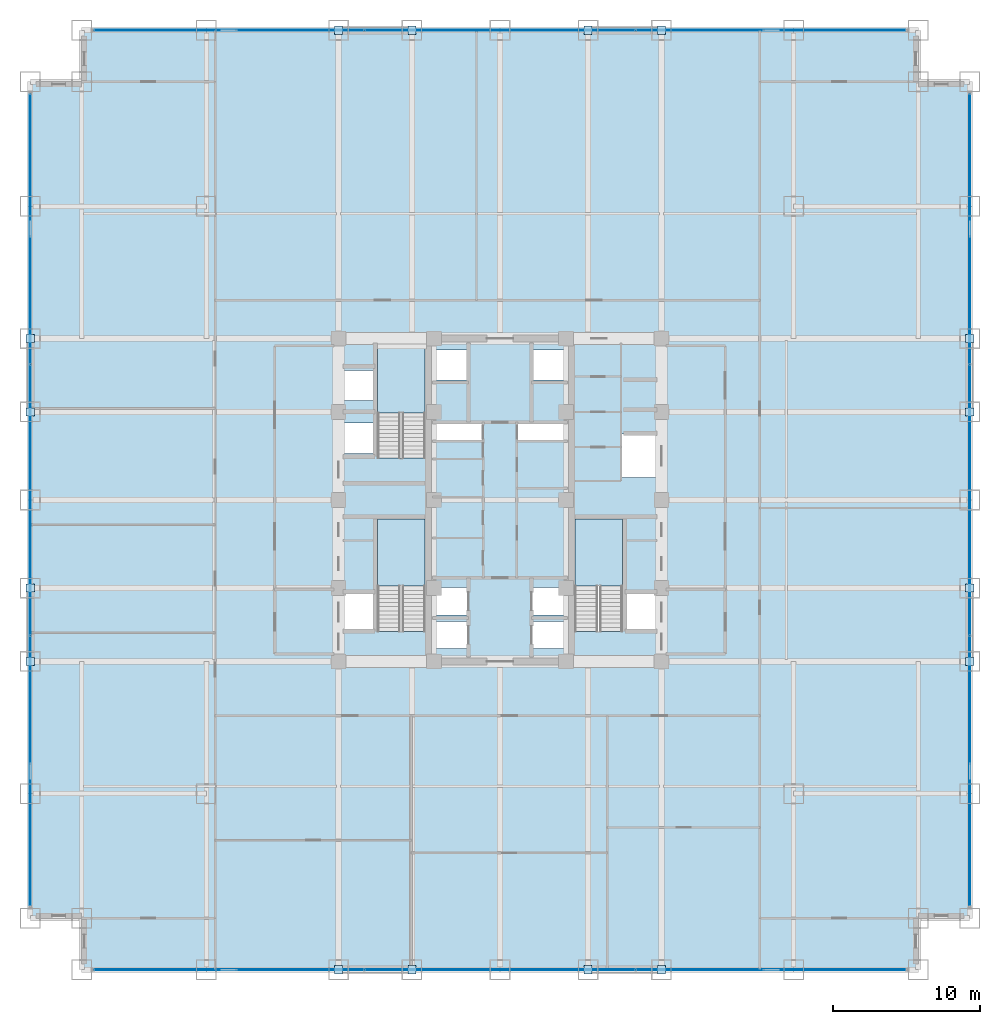
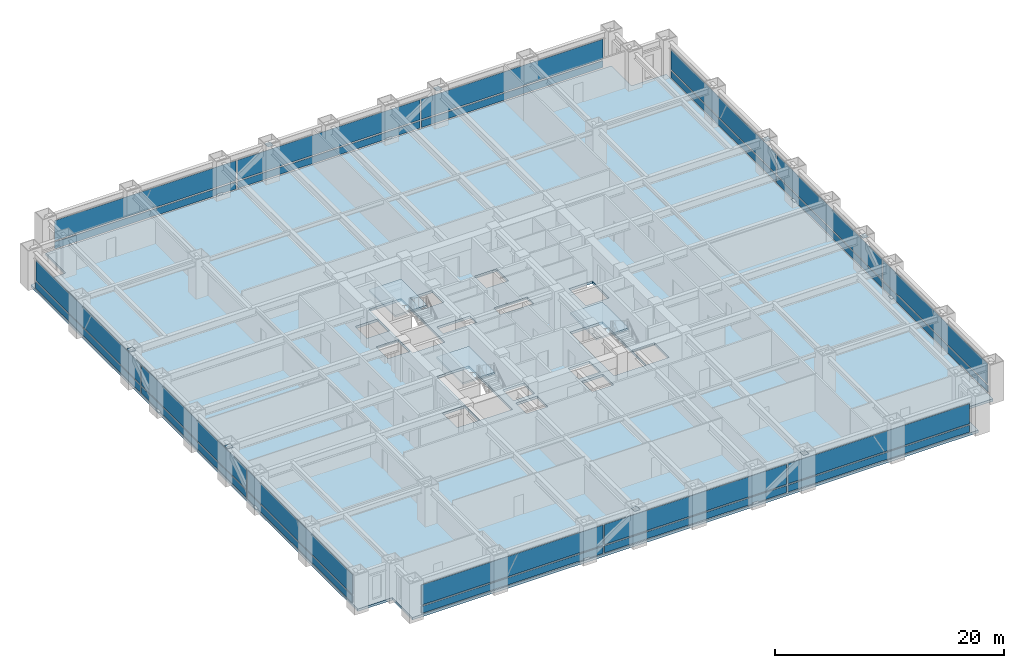
# One storey, part 22 of 28: 40 plates, 4 slabs, 7 elements without a shape of their own.
"""IFC4 building model written with IfcOpenShell, lengths in metres."""

from ifc_helpers import new_model, si_unit, direction, frame, origin, origin_2d, place, context, subcontext, project, spatial, polyline, rectangle, outline, extrude, source, transform, mapped, material, layer, layer_set, type_object, element, aggregate, save


model = new_model("IFC4")

# Units and contexts
model_context = context("Model", 3, precision=1e-05, world=origin(), true_north=direction((0.0, 1.0)))
body_context = subcontext(model_context, "Body", "Model", "MODEL_VIEW")
ifc_project = project(units=[si_unit("LENGTHUNIT", "METRE"), si_unit("AREAUNIT", "SQUARE_METRE"), si_unit("VOLUMEUNIT", "CUBIC_METRE"), si_unit("PLANEANGLEUNIT", "RADIAN"), si_unit("MASSUNIT", "GRAM", prefix="KILO")], contexts=[model_context])

# Site, building, storey
site_placement = place(None, origin())
site = spatial("IfcSite", under=ifc_project, at=site_placement, CompositionType="ELEMENT")
building_placement = place(site_placement, origin())
building = spatial("IfcBuilding", under=site, at=building_placement, Name="Khorayat Bourse Tower", CompositionType="ELEMENT")
storey_placement = place(building_placement, frame((0.0, 0.0, 62.0)))
storey = spatial("IfcBuildingStorey", under=building, at=storey_placement, Name="L13", CompositionType="ELEMENT", Elevation=62.0)

# Stair, slab
ifc_material_1 = material(Name="Concrete C40/50", Category="concrete")
stair_type = type_object("IfcStairType", Name="STR-CORE-1550", PredefinedType="HALF_TURN_STAIR", material=ifc_material_1)
stair_1_placement = place(storey_placement, origin())
stair_1 = element("IfcStair", 1, at=stair_1_placement, inside=storey, type_object=stair_type, Name="L13 Exit Stair ST-1", PredefinedType="HALF_TURN_STAIR")
ifc_layer_1 = layer(ifc_material_1, 0.199951171875)
ifc_layer_set_1 = layer_set([ifc_layer_1], Name="Concrete C40/50")
slab_type_1 = type_object("IfcSlabType", Name="SLB-LANDING-200", PredefinedType="LANDING", material=ifc_layer_set_1)
slab_1_placement = place(storey_placement, frame((0.0, 0.0, 1.89990234375)))
slab_1 = element("IfcSlab", 2, at=slab_1_placement, type_object=slab_type_1, Name="ST-1 landing 1", PredefinedType="LANDING", context=body_context, shape_type="SweptSolid", body=[
    extrude(outline(polyline([(-5.10009765625, -5.8701171875), (-5.10009765625, -1.300048828125), (-8.35009765625, -1.300048828125), (-8.35009765625, -5.8701171875), (-5.10009765625, -5.8701171875)])), origin(), (0.0, 0.0, 1.0), 0.2001953125),
])
aggregate(stair_1, [slab_1])

stair_2_placement = place(storey_placement, origin())
stair_2 = element("IfcStair", 3, at=stair_2_placement, inside=storey, type_object=stair_type, Name="L13 Exit Stair ST-2", PredefinedType="HALF_TURN_STAIR")
slab_2_placement = place(storey_placement, frame((0.0, 0.0, 1.89990234375)))
slab_2 = element("IfcSlab", 4, at=slab_2_placement, type_object=slab_type_1, Name="ST-2 landing 1", PredefinedType="LANDING", context=body_context, shape_type="SweptSolid", body=[
    extrude(outline(polyline([(-5.10009765625, 5.929931640625), (-5.10009765625, 10.5), (-8.35009765625, 10.5), (-8.35009765625, 5.929931640625), (-5.10009765625, 5.929931640625)])), origin(), (0.0, 0.0, 1.0), 0.2001953125),
])
aggregate(stair_2, [slab_2])

stair_3_placement = place(storey_placement, origin())
stair_3 = element("IfcStair", 5, at=stair_3_placement, inside=storey, type_object=stair_type, Name="L13 Exit Stair ST-3", PredefinedType="HALF_TURN_STAIR")
slab_3_placement = place(storey_placement, frame((0.0, 0.0, 1.89990234375)))
slab_3 = element("IfcSlab", 6, at=slab_3_placement, type_object=slab_type_1, Name="ST-3 landing 1", PredefinedType="LANDING", context=body_context, shape_type="SweptSolid", body=[
    extrude(outline(polyline([(8.35009765625, -5.8701171875), (8.35009765625, -1.300048828125), (5.10009765625, -1.300048828125), (5.10009765625, -5.8701171875), (8.35009765625, -5.8701171875)])), origin(), (0.0, 0.0, 1.0), 0.2001953125),
])
aggregate(stair_3, [slab_3])

# Slab
ifc_layer_2 = layer(ifc_material_1, 0.260009765625)
ifc_layer_set_2 = layer_set([ifc_layer_2], Name="Concrete C40/50")
slab_type_2 = type_object("IfcSlabType", Name="SLB-TRADE-260", PredefinedType="FLOOR", material=ifc_layer_set_2)
slab_4_placement = place(storey_placement, frame((0.0, 0.0, -0.260009765625)))
element("IfcSlab", 7, at=slab_4_placement, inside=storey, type_object=slab_type_2, Name="L13 Main Floor Slab", PredefinedType="FLOOR", context=body_context, shape_type="SweptSolid", body=[
    extrude(outline(polyline([(-28.5, -32.0), (28.5, -32.0), (28.5, -28.5), (32.0, -28.5), (32.0, 28.5), (28.5, 28.5), (28.5, 32.0), (-28.5, 32.0), (-28.5, 28.5), (-32.0, 28.5), (-32.0, -28.5), (-28.5, -28.5), (-28.5, -32.0)]), holes=[polyline([(-8.35009765625, -8.945068359375), (-5.10009765625, -8.945068359375), (-5.10009765625, -1.300048828125), (-8.35009765625, -1.300048828125), (-8.35009765625, -8.945068359375)]), polyline([(-8.35009765625, 2.85498046875), (-5.10009765625, 2.85498046875), (-5.10009765625, 10.5), (-8.35009765625, 10.5), (-8.35009765625, 2.85498046875)]), polyline([(5.10009765625, -8.945068359375), (8.35009765625, -8.945068359375), (8.35009765625, -1.300048828125), (5.10009765625, -1.300048828125), (5.10009765625, -8.945068359375)]), polyline([(-4.3798828125, -10.1298828125), (-2.219970703125, -10.1298828125), (-2.219970703125, -8.27001953125), (-4.3798828125, -8.27001953125), (-4.3798828125, -10.1298828125)]), polyline([(2.219970703125, -10.1298828125), (4.3798828125, -10.1298828125), (4.3798828125, -8.27001953125), (2.219970703125, -8.27001953125), (2.219970703125, -10.1298828125)]), polyline([(-4.3798828125, -7.830078125), (-2.219970703125, -7.830078125), (-2.219970703125, -5.969970703125), (-4.3798828125, -5.969970703125), (-4.3798828125, -7.830078125)]), polyline([(2.219970703125, -7.830078125), (4.3798828125, -7.830078125), (4.3798828125, -5.969970703125), (2.219970703125, -5.969970703125), (2.219970703125, -7.830078125)]), polyline([(-4.3798828125, 8.169921875), (-2.1201171875, 8.169921875), (-2.1201171875, 10.22998046875), (-4.3798828125, 10.22998046875), (-4.3798828125, 8.169921875)]), polyline([(2.1201171875, 8.169921875), (4.3798828125, 8.169921875), (4.3798828125, 10.22998046875), (2.1201171875, 10.22998046875), (2.1201171875, 8.169921875)]), polyline([(-10.679931640625, 3.169921875), (-8.419921875, 3.169921875), (-8.419921875, 5.22998046875), (-10.679931640625, 5.22998046875), (-10.679931640625, 3.169921875)]), polyline([(-10.679931640625, 6.77001953125), (-8.419921875, 6.77001953125), (-8.419921875, 8.830078125), (-10.679931640625, 8.830078125), (-10.679931640625, 6.77001953125)]), polyline([(-10.679931640625, -8.929931640625), (-8.419921875, -8.929931640625), (-8.419921875, -6.3701171875), (-10.679931640625, -6.3701171875), (-10.679931640625, -8.929931640625)]), polyline([(8.419921875, -8.929931640625), (10.679931640625, -8.929931640625), (10.679931640625, -6.3701171875), (8.419921875, -6.3701171875), (8.419921875, -8.929931640625)]), polyline([(8.320068359375, 1.52001953125), (10.679931640625, 1.52001953125), (10.679931640625, 4.47998046875), (8.320068359375, 4.47998046875), (8.320068359375, 1.52001953125)]), polyline([(-4.56005859375, 4.080078125), (-1.18994140625, 4.080078125), (-1.18994140625, 5.219970703125), (-4.56005859375, 5.219970703125), (-4.56005859375, 4.080078125)]), polyline([(1.18994140625, 4.080078125), (4.56005859375, 4.080078125), (4.56005859375, 5.219970703125), (1.18994140625, 5.219970703125), (1.18994140625, 4.080078125)])]), origin(), (0.0, 0.0, 1.0), 0.260009765625),
])

# Plates
ifc_material_2 = material(Name="Steel EN 10025-2 S355J2", Category="steel")
ifc_layer_3 = layer(ifc_material_2, 0.02490234375)
ifc_layer_set_3 = layer_set([ifc_layer_3], Name="Steel EN 10025-2 S355J2")
plate_type_1 = type_object("IfcPlateType", Name="PLT-ENDCAP-25", PredefinedType="SHEET", material=ifc_layer_set_3)
shared_shape_1 = source(origin(), body_context, "Body", "SweptSolid", [
    extrude(rectangle(XDim=0.56005859375, YDim=0.56005859375, at=origin_2d()), origin(), (0.0, 0.0, 1.0), 0.02490234375),
])
for number, where, z_axis, x_axis, name in (
    (8, (-11.0, -32.0, 0.237548828125), (0.0, 0.0, 1.0), (1.0, 0.0, 0.0), "L13 Perimeter Brace End Plate 001"),
    (9, (-6.0, -32.0, 3.677490234375), (0.0, 0.0, 1.0), (1.0, 0.0, 0.0), "L13 Perimeter Brace End Plate 002"),
    (10, (6.0, -32.0, 0.237548828125), (0.0, 0.0, 1.0), (1.0, 0.0, 0.0), "L13 Perimeter Brace End Plate 003"),
    (11, (11.0, -32.0, 3.677490234375), (0.0, 0.0, 1.0), (1.0, 0.0, 0.0), "L13 Perimeter Brace End Plate 004"),
    (12, (-11.0, 32.0, 0.237548828125), (0.0, 0.0, 1.0), (1.0, 0.0, 0.0), "L13 Perimeter Brace End Plate 005"),
    (13, (-6.0, 32.0, 3.677490234375), (0.0, 0.0, 1.0), (1.0, 0.0, 0.0), "L13 Perimeter Brace End Plate 006"),
    (14, (6.0, 32.0, 0.237548828125), (0.0, 0.0, 1.0), (1.0, 0.0, 0.0), "L13 Perimeter Brace End Plate 007"),
    (15, (11.0, 32.0, 3.677490234375), (0.0, 0.0, 1.0), (1.0, 0.0, 0.0), "L13 Perimeter Brace End Plate 008"),
    (16, (-32.0, -11.0, 0.237548828125), (0.0, 0.0, 1.0), (1.0, 0.0, 0.0), "L13 Perimeter Brace End Plate 009"),
    (17, (-32.0, -6.0, 3.677490234375), (0.0, 0.0, 1.0), (1.0, 0.0, 0.0), "L13 Perimeter Brace End Plate 010"),
    (18, (-32.0, 6.0, 0.237548828125), (0.0, 0.0, 1.0), (1.0, 0.0, 0.0), "L13 Perimeter Brace End Plate 011"),
    (19, (-32.0, 11.0, 3.677490234375), (0.0, 0.0, 1.0), (1.0, 0.0, 0.0), "L13 Perimeter Brace End Plate 012"),
    (20, (32.0, -11.0, 0.237548828125), (0.0, 0.0, 1.0), (1.0, 0.0, 0.0), "L13 Perimeter Brace End Plate 013"),
    (21, (32.0, -6.0, 3.677490234375), (0.0, 0.0, 1.0), (1.0, 0.0, 0.0), "L13 Perimeter Brace End Plate 014"),
    (22, (32.0, 6.0, 0.237548828125), (0.0, 0.0, 1.0), (1.0, 0.0, 0.0), "L13 Perimeter Brace End Plate 015"),
    (23, (32.0, 11.0, 3.677490234375), (0.0, 0.0, 1.0), (1.0, 0.0, 0.0), "L13 Perimeter Brace End Plate 016"),
):
    element("IfcPlate", number, at=place(storey_placement, frame(where, z_axis=z_axis, x_axis=x_axis)), inside=storey, type_object=plate_type_1, Name=name, PredefinedType="SHEET", context=body_context, shape_type="MappedRepresentation", body=[
        mapped(shared_shape_1, transform((0.0, 0.0, 0.0), scale=1.0)),
    ])

# Curtain wall, plates
ifc_material_3 = material(Name="Aluminium EN AW-6063 T6", Category="aluminium")
curtain_wall_type = type_object("IfcCurtainWallType", Name="CW-SYS-02", PredefinedType="NOTDEFINED", material=ifc_material_3)
curtain_wall_1_placement = place(storey_placement, origin())
curtain_wall_1 = element("IfcCurtainWall", 24, at=curtain_wall_1_placement, inside=storey, type_object=curtain_wall_type, Name="L13 Curtain Wall CW-L13-S1", PredefinedType="NOTDEFINED")
ifc_material_4 = material(Name="Honed desert limestone insulated spandrel", Category="masonry")
ifc_layer_4 = layer(ifc_material_4, 0.06494140625)
ifc_layer_set_4 = layer_set([ifc_layer_4], Name="Honed desert limestone insulated spandrel")
plate_type_2 = type_object("IfcPlateType", Name="CWP-SPAND-03", PredefinedType="CURTAIN_PANEL", material=ifc_layer_set_4)
shared_shape_2 = source(origin(), body_context, "Body", "SweptSolid", [
    extrude(rectangle(XDim=18.2900390625, YDim=0.06494140625, at=origin_2d()), origin(), (0.0, 0.0, 1.0), 0.739990234375),
])
plate_1_placement = place(storey_placement, frame((-18.465087890625, -32.0, 0.14013671875), z_axis=(0.0, 0.0, 1.0), x_axis=(1.0, 0.0, 0.0)))
plate_1 = element("IfcPlate", 25, at=plate_1_placement, type_object=plate_type_2, Name="CW-L13-S1 Spandrel Panel 1-1", PredefinedType="CURTAIN_PANEL", context=body_context, shape_type="MappedRepresentation", body=[
    mapped(shared_shape_2, transform((0.0, 0.0, 0.0), scale=1.0)),
])
plate_2_placement = place(storey_placement, frame((18.465087890625, -32.0, 0.14013671875), z_axis=(0.0, 0.0, 1.0), x_axis=(1.0, 0.0, 0.0)))
plate_2 = element("IfcPlate", 26, at=plate_2_placement, type_object=plate_type_2, Name="CW-L13-S1 Spandrel Panel 3-1", PredefinedType="CURTAIN_PANEL", context=body_context, shape_type="MappedRepresentation", body=[
    mapped(shared_shape_2, transform((0.0, 0.0, 0.0), scale=1.0)),
])

curtain_wall_2_placement = place(storey_placement, origin())
curtain_wall_2 = element("IfcCurtainWall", 27, at=curtain_wall_2_placement, inside=storey, type_object=curtain_wall_type, Name="L13 Curtain Wall CW-L13-N1", PredefinedType="NOTDEFINED")
plate_3_placement = place(storey_placement, frame((-18.465087890625, 32.0, 0.14013671875), z_axis=(0.0, 0.0, 1.0), x_axis=(1.0, 0.0, 0.0)))
plate_3 = element("IfcPlate", 28, at=plate_3_placement, type_object=plate_type_2, Name="CW-L13-N1 Spandrel Panel 1-1", PredefinedType="CURTAIN_PANEL", context=body_context, shape_type="MappedRepresentation", body=[
    mapped(shared_shape_2, transform((0.0, 0.0, 0.0), scale=1.0)),
])
plate_4_placement = place(storey_placement, frame((18.465087890625, 32.0, 0.14013671875), z_axis=(0.0, 0.0, 1.0), x_axis=(1.0, 0.0, 0.0)))
plate_4 = element("IfcPlate", 29, at=plate_4_placement, type_object=plate_type_2, Name="CW-L13-N1 Spandrel Panel 3-1", PredefinedType="CURTAIN_PANEL", context=body_context, shape_type="MappedRepresentation", body=[
    mapped(shared_shape_2, transform((0.0, 0.0, 0.0), scale=1.0)),
])

curtain_wall_3_placement = place(storey_placement, origin())
curtain_wall_3 = element("IfcCurtainWall", 30, at=curtain_wall_3_placement, inside=storey, type_object=curtain_wall_type, Name="L13 Curtain Wall CW-L13-W1", PredefinedType="NOTDEFINED")
plate_5_placement = place(storey_placement, frame((-32.0, -18.465087890625, 0.14013671875), z_axis=(0.0, 0.0, 1.0), x_axis=(0.0, 1.0, 0.0)))
plate_5 = element("IfcPlate", 31, at=plate_5_placement, type_object=plate_type_2, Name="CW-L13-W1 Spandrel Panel 1-1", PredefinedType="CURTAIN_PANEL", context=body_context, shape_type="MappedRepresentation", body=[
    mapped(shared_shape_2, transform((0.0, 0.0, 0.0), scale=1.0)),
])
plate_6_placement = place(storey_placement, frame((-32.0, 18.465087890625, 0.14013671875), z_axis=(0.0, 0.0, 1.0), x_axis=(0.0, 1.0, 0.0)))
plate_6 = element("IfcPlate", 32, at=plate_6_placement, type_object=plate_type_2, Name="CW-L13-W1 Spandrel Panel 3-1", PredefinedType="CURTAIN_PANEL", context=body_context, shape_type="MappedRepresentation", body=[
    mapped(shared_shape_2, transform((0.0, 0.0, 0.0), scale=1.0)),
])

curtain_wall_4_placement = place(storey_placement, origin())
curtain_wall_4 = element("IfcCurtainWall", 33, at=curtain_wall_4_placement, inside=storey, type_object=curtain_wall_type, Name="L13 Curtain Wall CW-L13-E1", PredefinedType="NOTDEFINED")
plate_7_placement = place(storey_placement, frame((32.0, -18.465087890625, 0.14013671875), z_axis=(0.0, 0.0, 1.0), x_axis=(0.0, 1.0, 0.0)))
plate_7 = element("IfcPlate", 34, at=plate_7_placement, type_object=plate_type_2, Name="CW-L13-E1 Spandrel Panel 1-1", PredefinedType="CURTAIN_PANEL", context=body_context, shape_type="MappedRepresentation", body=[
    mapped(shared_shape_2, transform((0.0, 0.0, 0.0), scale=1.0)),
])
plate_8_placement = place(storey_placement, frame((32.0, 18.465087890625, 0.14013671875), z_axis=(0.0, 0.0, 1.0), x_axis=(0.0, 1.0, 0.0)))
plate_8 = element("IfcPlate", 35, at=plate_8_placement, type_object=plate_type_2, Name="CW-L13-E1 Spandrel Panel 3-1", PredefinedType="CURTAIN_PANEL", context=body_context, shape_type="MappedRepresentation", body=[
    mapped(shared_shape_2, transform((0.0, 0.0, 0.0), scale=1.0)),
])

# Plate
ifc_material_5 = material(Name="Low-E solar-control laminated double glazing", Category="glass")
ifc_layer_5 = layer(ifc_material_5, 0.0419921875)
ifc_layer_set_5 = layer_set([ifc_layer_5], Name="Low-E solar-control laminated double glazing")
plate_type_3 = type_object("IfcPlateType", Name="CWP-FACET-02", PredefinedType="CURTAIN_PANEL", material=ifc_layer_set_5)
shared_shape_3 = source(origin(), body_context, "Body", "SweptSolid", [
    extrude(rectangle(XDim=18.2900390625, YDim=0.0419921875, at=origin_2d()), origin(), (0.0, 0.0, 1.0), 2.1298828125),
])
plate_9_placement = place(storey_placement, frame((-18.465087890625, -32.0, 1.02001953125), z_axis=(0.0, 0.0, 1.0), x_axis=(1.0, 0.0, 0.0)))
plate_9 = element("IfcPlate", 36, at=plate_9_placement, type_object=plate_type_3, Name="CW-L13-S1 Vision Panel 1-2", PredefinedType="CURTAIN_PANEL", context=body_context, shape_type="MappedRepresentation", body=[
    mapped(shared_shape_3, transform((0.0, 0.0, 0.0), scale=1.0)),
])

plate_10_placement = place(storey_placement, frame((18.465087890625, -32.0, 1.02001953125), z_axis=(0.0, 0.0, 1.0), x_axis=(1.0, 0.0, 0.0)))
plate_10 = element("IfcPlate", 37, at=plate_10_placement, type_object=plate_type_3, Name="CW-L13-S1 Vision Panel 3-2", PredefinedType="CURTAIN_PANEL", context=body_context, shape_type="MappedRepresentation", body=[
    mapped(shared_shape_3, transform((0.0, 0.0, 0.0), scale=1.0)),
])

plate_11_placement = place(storey_placement, frame((-18.465087890625, 32.0, 1.02001953125), z_axis=(0.0, 0.0, 1.0), x_axis=(1.0, 0.0, 0.0)))
plate_11 = element("IfcPlate", 38, at=plate_11_placement, type_object=plate_type_3, Name="CW-L13-N1 Vision Panel 1-2", PredefinedType="CURTAIN_PANEL", context=body_context, shape_type="MappedRepresentation", body=[
    mapped(shared_shape_3, transform((0.0, 0.0, 0.0), scale=1.0)),
])

plate_12_placement = place(storey_placement, frame((18.465087890625, 32.0, 1.02001953125), z_axis=(0.0, 0.0, 1.0), x_axis=(1.0, 0.0, 0.0)))
plate_12 = element("IfcPlate", 39, at=plate_12_placement, type_object=plate_type_3, Name="CW-L13-N1 Vision Panel 3-2", PredefinedType="CURTAIN_PANEL", context=body_context, shape_type="MappedRepresentation", body=[
    mapped(shared_shape_3, transform((0.0, 0.0, 0.0), scale=1.0)),
])

plate_13_placement = place(storey_placement, frame((-32.0, -18.465087890625, 1.02001953125), z_axis=(0.0, 0.0, 1.0), x_axis=(0.0, 1.0, 0.0)))
plate_13 = element("IfcPlate", 40, at=plate_13_placement, type_object=plate_type_3, Name="CW-L13-W1 Vision Panel 1-2", PredefinedType="CURTAIN_PANEL", context=body_context, shape_type="MappedRepresentation", body=[
    mapped(shared_shape_3, transform((0.0, 0.0, 0.0), scale=1.0)),
])

plate_14_placement = place(storey_placement, frame((-32.0, 18.465087890625, 1.02001953125), z_axis=(0.0, 0.0, 1.0), x_axis=(0.0, 1.0, 0.0)))
plate_14 = element("IfcPlate", 41, at=plate_14_placement, type_object=plate_type_3, Name="CW-L13-W1 Vision Panel 3-2", PredefinedType="CURTAIN_PANEL", context=body_context, shape_type="MappedRepresentation", body=[
    mapped(shared_shape_3, transform((0.0, 0.0, 0.0), scale=1.0)),
])

plate_15_placement = place(storey_placement, frame((32.0, -18.465087890625, 1.02001953125), z_axis=(0.0, 0.0, 1.0), x_axis=(0.0, 1.0, 0.0)))
plate_15 = element("IfcPlate", 42, at=plate_15_placement, type_object=plate_type_3, Name="CW-L13-E1 Vision Panel 1-2", PredefinedType="CURTAIN_PANEL", context=body_context, shape_type="MappedRepresentation", body=[
    mapped(shared_shape_3, transform((0.0, 0.0, 0.0), scale=1.0)),
])

plate_16_placement = place(storey_placement, frame((32.0, 18.465087890625, 1.02001953125), z_axis=(0.0, 0.0, 1.0), x_axis=(0.0, 1.0, 0.0)))
plate_16 = element("IfcPlate", 43, at=plate_16_placement, type_object=plate_type_3, Name="CW-L13-E1 Vision Panel 3-2", PredefinedType="CURTAIN_PANEL", context=body_context, shape_type="MappedRepresentation", body=[
    mapped(shared_shape_3, transform((0.0, 0.0, 0.0), scale=1.0)),
])

shared_shape_4 = source(origin(), body_context, "Body", "SweptSolid", [
    extrude(rectangle(XDim=18.360107421875, YDim=0.06494140625, at=origin_2d()), origin(), (0.0, 0.0, 1.0), 0.739990234375),
])
plate_17_placement = place(storey_placement, frame((0.0, -32.0, 0.14013671875), z_axis=(0.0, 0.0, 1.0), x_axis=(1.0, 0.0, 0.0)))
plate_17 = element("IfcPlate", 44, at=plate_17_placement, type_object=plate_type_2, Name="CW-L13-S1 Spandrel Panel 2-1", PredefinedType="CURTAIN_PANEL", context=body_context, shape_type="MappedRepresentation", body=[
    mapped(shared_shape_4, transform((0.0, 0.0, 0.0), scale=1.0)),
])

plate_18_placement = place(storey_placement, frame((0.0, 32.0, 0.14013671875), z_axis=(0.0, 0.0, 1.0), x_axis=(1.0, 0.0, 0.0)))
plate_18 = element("IfcPlate", 45, at=plate_18_placement, type_object=plate_type_2, Name="CW-L13-N1 Spandrel Panel 2-1", PredefinedType="CURTAIN_PANEL", context=body_context, shape_type="MappedRepresentation", body=[
    mapped(shared_shape_4, transform((0.0, 0.0, 0.0), scale=1.0)),
])

plate_19_placement = place(storey_placement, frame((-32.0, 0.0, 0.14013671875), z_axis=(0.0, 0.0, 1.0), x_axis=(0.0, 1.0, 0.0)))
plate_19 = element("IfcPlate", 46, at=plate_19_placement, type_object=plate_type_2, Name="CW-L13-W1 Spandrel Panel 2-1", PredefinedType="CURTAIN_PANEL", context=body_context, shape_type="MappedRepresentation", body=[
    mapped(shared_shape_4, transform((0.0, 0.0, 0.0), scale=1.0)),
])

plate_20_placement = place(storey_placement, frame((32.0, 0.0, 0.14013671875), z_axis=(0.0, 0.0, 1.0), x_axis=(0.0, 1.0, 0.0)))
plate_20 = element("IfcPlate", 47, at=plate_20_placement, type_object=plate_type_2, Name="CW-L13-E1 Spandrel Panel 2-1", PredefinedType="CURTAIN_PANEL", context=body_context, shape_type="MappedRepresentation", body=[
    mapped(shared_shape_4, transform((0.0, 0.0, 0.0), scale=1.0)),
])

shared_shape_5 = source(origin(), body_context, "Body", "SweptSolid", [
    extrude(rectangle(XDim=18.360107421875, YDim=0.0419921875, at=origin_2d()), origin(), (0.0, 0.0, 1.0), 2.1298828125),
])
plate_21_placement = place(storey_placement, frame((0.0, -32.0, 1.02001953125), z_axis=(0.0, 0.0, 1.0), x_axis=(1.0, 0.0, 0.0)))
plate_21 = element("IfcPlate", 48, at=plate_21_placement, type_object=plate_type_3, Name="CW-L13-S1 Vision Panel 2-2", PredefinedType="CURTAIN_PANEL", context=body_context, shape_type="MappedRepresentation", body=[
    mapped(shared_shape_5, transform((0.0, 0.0, 0.0), scale=1.0)),
])

aggregate(curtain_wall_1, [plate_1, plate_9, plate_17, plate_21, plate_2, plate_10])

plate_22_placement = place(storey_placement, frame((0.0, 32.0, 1.02001953125), z_axis=(0.0, 0.0, 1.0), x_axis=(1.0, 0.0, 0.0)))
plate_22 = element("IfcPlate", 49, at=plate_22_placement, type_object=plate_type_3, Name="CW-L13-N1 Vision Panel 2-2", PredefinedType="CURTAIN_PANEL", context=body_context, shape_type="MappedRepresentation", body=[
    mapped(shared_shape_5, transform((0.0, 0.0, 0.0), scale=1.0)),
])

aggregate(curtain_wall_2, [plate_3, plate_11, plate_18, plate_22, plate_4, plate_12])

plate_23_placement = place(storey_placement, frame((-32.0, 0.0, 1.02001953125), z_axis=(0.0, 0.0, 1.0), x_axis=(0.0, 1.0, 0.0)))
plate_23 = element("IfcPlate", 50, at=plate_23_placement, type_object=plate_type_3, Name="CW-L13-W1 Vision Panel 2-2", PredefinedType="CURTAIN_PANEL", context=body_context, shape_type="MappedRepresentation", body=[
    mapped(shared_shape_5, transform((0.0, 0.0, 0.0), scale=1.0)),
])

aggregate(curtain_wall_3, [plate_5, plate_13, plate_19, plate_23, plate_6, plate_14])

plate_24_placement = place(storey_placement, frame((32.0, 0.0, 1.02001953125), z_axis=(0.0, 0.0, 1.0), x_axis=(0.0, 1.0, 0.0)))
plate_24 = element("IfcPlate", 51, at=plate_24_placement, type_object=plate_type_3, Name="CW-L13-E1 Vision Panel 2-2", PredefinedType="CURTAIN_PANEL", context=body_context, shape_type="MappedRepresentation", body=[
    mapped(shared_shape_5, transform((0.0, 0.0, 0.0), scale=1.0)),
])

aggregate(curtain_wall_4, [plate_7, plate_15, plate_20, plate_24, plate_8, plate_16])

save(model, "model.ifc")
